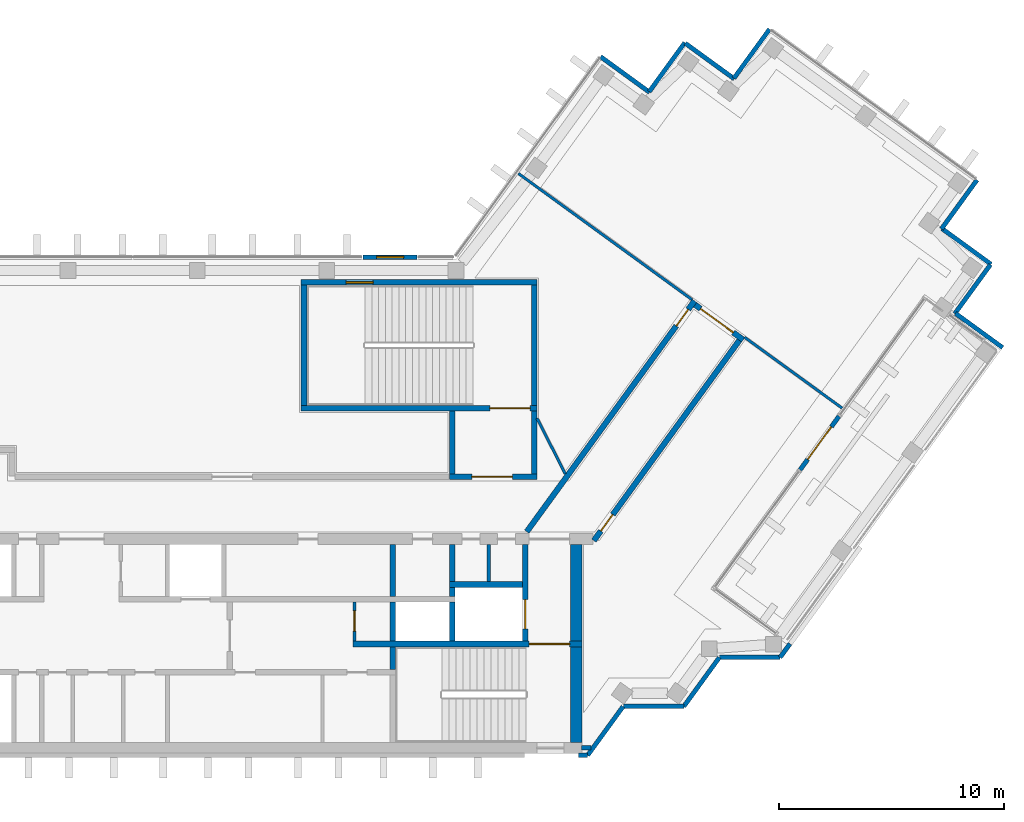
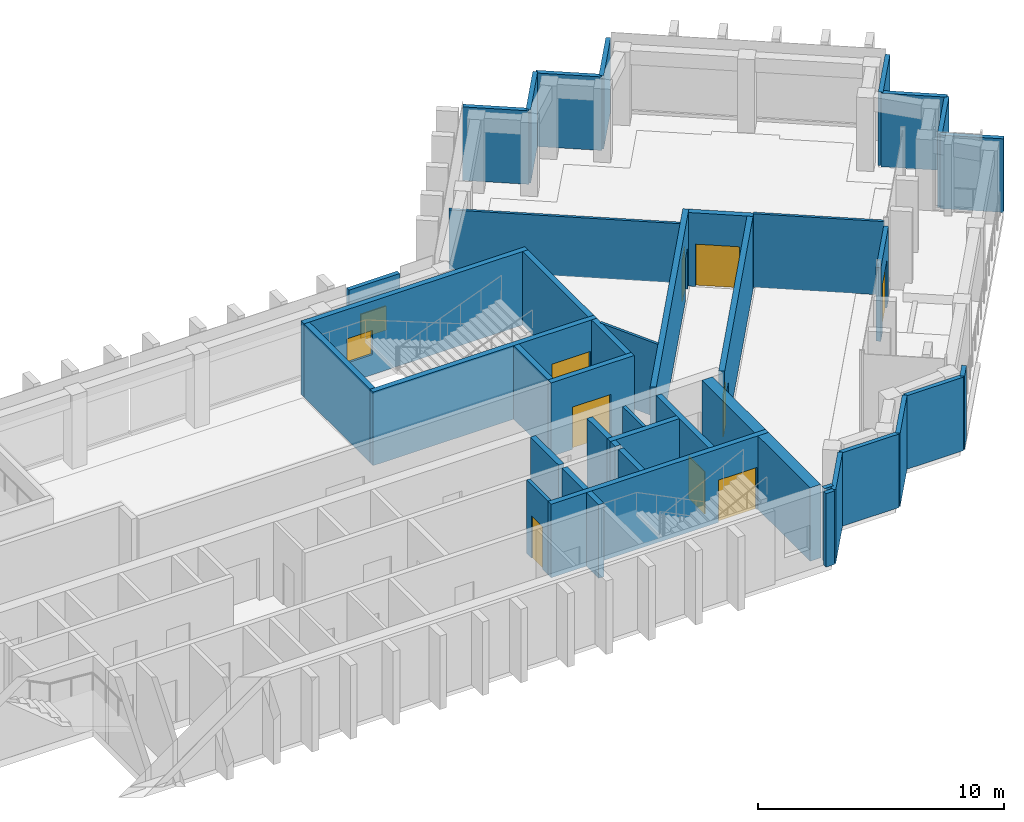
# One storey, part 6 of 9: 43 walls, 9 doors, 2 windows, 11 openings.
"""IFC4 building model written with IfcOpenShell, lengths in metres."""

from ifc_helpers import new_model, si_unit, direction, frame, frame_2d, origin, place, context, subcontext, project, spatial, rectangle, extrude, material, layer, layer_set, type_object, element, fill, save


model = new_model("IFC4")

# Units and contexts
model_context = context("Model", 3, precision=1e-05, world=origin(), true_north=direction((0.0, 1.0)))
body_context = subcontext(model_context, "Body", "Model", "MODEL_VIEW")
ifc_project = project(units=[si_unit("LENGTHUNIT", "METRE"), si_unit("AREAUNIT", "SQUARE_METRE"), si_unit("VOLUMEUNIT", "CUBIC_METRE"), si_unit("PLANEANGLEUNIT", "RADIAN"), si_unit("MASSUNIT", "GRAM", prefix="KILO")], contexts=[model_context])

# Site, building, storey
site_placement = place(None, origin())
site = spatial("IfcSite", under=ifc_project, at=site_placement, CompositionType="ELEMENT")
building_placement = place(site_placement, origin())
building = spatial("IfcBuilding", under=site, at=building_placement, Name="Quipu Civic Tower", CompositionType="ELEMENT")
storey_placement = place(building_placement, frame((0.0, 0.0, 315.0)))
storey = spatial("IfcBuildingStorey", under=building, at=storey_placement, Name="L73", CompositionType="ELEMENT", Elevation=315.0)

# Wall
ifc_material_1 = material(Name="Concrete C70/85", Category="concrete")
ifc_layer_1 = layer(ifc_material_1, 0.25)
ifc_layer_set_1 = layer_set([ifc_layer_1], Name="Concrete C70/85")
wall_type_1 = type_object("IfcWallType", Name="Core wall 250", PredefinedType="SHEAR", material=ifc_layer_set_1)
wall_1_placement = place(storey_placement, frame((11.574951171875, -7.25, 0.0), z_axis=(0.0, 0.0, 1.0), x_axis=(0.0, 1.0, 0.0)))
element("IfcWall", 1, at=wall_1_placement, inside=storey, type_object=wall_type_1, Name="Core wall", PredefinedType="SHEAR", context=body_context, shape_type="SweptSolid", body=[
    extrude(rectangle(XDim=1.0, YDim=0.25, at=frame_2d((0.5, 0.0))), origin(), (0.0, 0.0, 1.0), 3.64990234375),
])

# Wall, opening, door
wall_2_placement = place(storey_placement, frame((20.0, -6.125, 0.0), z_axis=(0.0, 0.0, 1.0), x_axis=(-1.0, 0.0, 0.0)))
wall_2 = element("IfcWall", 2, at=wall_2_placement, inside=storey, type_object=wall_type_1, Name="Core wall", PredefinedType="SHEAR", context=body_context, shape_type="SweptSolid", body=[
    extrude(rectangle(XDim=10.199951171875, YDim=0.25, at=frame_2d((5.10009765625, 0.0))), origin(), (0.0, 0.0, 1.0), 3.64990234375),
])
opening_1_placement = place(wall_2_placement, frame((0.550048828125, 0.0, 0.0)))
opening_1 = element("IfcOpeningElement", 3, at=opening_1_placement, cuts=wall_2, Name="Opening CD-09", PredefinedType="OPENING", context=body_context, shape_type="SweptSolid", body=[
    extrude(rectangle(XDim=1.800048828125, YDim=2.10009765625, at=frame_2d((0.89990234375, 1.050048828125))), frame((0.0, 0.135009765625, 0.0), z_axis=(0.0, -1.0, 0.0), x_axis=(1.0, 0.0, 0.0)), (0.0, 0.0, 1.0), 0.27001953125),
])
ifc_material_2 = material(Name="Fire rated steel door", Category="steel")
door_type_1 = type_object("IfcDoorType", Name="Fire door FD90 double 1800 x 2100", OperationType="NOTDEFINED", PredefinedType="DOOR", material=ifc_material_2)
door_1_placement = place(opening_1_placement, origin())
door_1 = element("IfcDoor", 4, at=door_1_placement, inside=storey, type_object=door_type_1, Name="Door", OperationType="DOUBLE_DOOR_SINGLE_SWING", OverallHeight=2.10009765625, OverallWidth=1.800048828125, PredefinedType="DOOR", context=body_context, shape_type="SweptSolid", body=[
    extrude(rectangle(XDim=1.800048828125, YDim=2.10009765625, at=frame_2d((0.89990234375, 1.050048828125))), frame((0.0, 0.02490234375, 0.0), z_axis=(0.0, -1.0, 0.0), x_axis=(1.0, 0.0, 0.0)), (0.0, 0.0, 1.0), 0.050048828125),
])
fill(opening_1, door_1)

# Walls
for number, where, z_axis, x_axis, name in (
    (5, (11.574951171875, -6.0, 0.0), (0.0, 0.0, 1.0), (0.0, 1.0, 0.0), "Core wall"),
    (6, (14.22509765625, -6.0, 0.0), (0.0, 0.0, 1.0), (0.0, 1.0, 0.0), "Core wall"),
):
    element("IfcWall", number, at=place(storey_placement, frame(where, z_axis=z_axis, x_axis=x_axis)), inside=storey, type_object=wall_type_1, Name=name, PredefinedType="SHEAR", context=body_context, shape_type="SweptSolid", body=[
        extrude(rectangle(XDim=1.75, YDim=0.25, at=frame_2d((0.875, 0.0))), origin(), (0.0, 0.0, 1.0), 3.64990234375),
    ])

# Wall, opening, door
wall_3_placement = place(storey_placement, frame((17.47509765625, -6.0, 0.0), z_axis=(0.0, 0.0, 1.0), x_axis=(0.0, 1.0, 0.0)))
wall_3 = element("IfcWall", 7, at=wall_3_placement, inside=storey, type_object=wall_type_1, Name="Core wall", PredefinedType="SHEAR", context=body_context, shape_type="SweptSolid", body=[
    extrude(rectangle(XDim=4.300048828125, YDim=0.25, at=frame_2d((2.14990234375, 0.0))), origin(), (0.0, 0.0, 1.0), 3.64990234375),
])
opening_2_placement = place(wall_3_placement, frame((0.550048828125, 0.0, 0.0)))
opening_2 = element("IfcOpeningElement", 8, at=opening_2_placement, cuts=wall_3, Name="Opening LD-FF2", PredefinedType="OPENING", context=body_context, shape_type="SweptSolid", body=[
    extrude(rectangle(XDim=1.300048828125, YDim=2.10009765625, at=frame_2d((0.64990234375, 1.050048828125))), frame((0.0, 0.135009765625, 0.0), z_axis=(0.0, -1.0, 0.0), x_axis=(1.0, 0.0, 0.0)), (0.0, 0.0, 1.0), 0.27001953125),
])
ifc_material_3 = material(Name="Stainless steel", Category="steel")
door_type_2 = type_object("IfcDoorType", Name="Lift landing door 1300 x 2100", OperationType="DOUBLE_DOOR_SLIDING", PredefinedType="DOOR", material=ifc_material_3)
door_2_placement = place(opening_2_placement, origin())
door_2 = element("IfcDoor", 9, at=door_2_placement, inside=storey, type_object=door_type_2, Name="Landing door FF2", OperationType="DOUBLE_DOOR_SLIDING", OverallHeight=2.10009765625, OverallWidth=1.300048828125, PredefinedType="DOOR", context=body_context, shape_type="SweptSolid", body=[
    extrude(rectangle(XDim=1.300048828125, YDim=2.10009765625, at=frame_2d((0.64990234375, 1.050048828125))), frame((0.0, 0.02490234375, 0.0), z_axis=(0.0, -1.0, 0.0), x_axis=(1.0, 0.0, 0.0)), (0.0, 0.0, 1.0), 0.050048828125),
])
fill(opening_2, door_2)

# Walls
wall_4_placement = place(storey_placement, frame((11.574951171875, -4.0, 0.0), z_axis=(0.0, 0.0, 1.0), x_axis=(0.0, 1.0, 0.0)))
element("IfcWall", 10, at=wall_4_placement, inside=storey, type_object=wall_type_1, Name="Core wall", PredefinedType="SHEAR", context=body_context, shape_type="SweptSolid", body=[
    extrude(rectangle(XDim=2.300048828125, YDim=0.25, at=frame_2d((1.14990234375, 0.0))), origin(), (0.0, 0.0, 1.0), 3.64990234375),
])
wall_5_placement = place(storey_placement, frame((14.22509765625, -4.0, 0.0), z_axis=(0.0, 0.0, 1.0), x_axis=(0.0, 1.0, 0.0)))
element("IfcWall", 11, at=wall_5_placement, inside=storey, type_object=wall_type_1, Name="Core wall", PredefinedType="SHEAR", context=body_context, shape_type="SweptSolid", body=[
    extrude(rectangle(XDim=0.39990234375, YDim=0.25, at=frame_2d((0.199951171875, 0.0))), origin(), (0.0, 0.0, 1.0), 3.64990234375),
])
wall_6_placement = place(storey_placement, frame((14.10009765625, -3.47509765625, 0.0), z_axis=(0.0, 0.0, 1.0), x_axis=(1.0, 0.0, 0.0)))
element("IfcWall", 12, at=wall_6_placement, inside=storey, type_object=wall_type_1, Name="Core wall", PredefinedType="SHEAR", context=body_context, shape_type="SweptSolid", body=[
    extrude(rectangle(XDim=3.25, YDim=0.25, at=frame_2d((1.625, 0.0))), origin(), (0.0, 0.0, 1.0), 3.64990234375),
])
wall_7_placement = place(storey_placement, frame((14.22509765625, -3.35009765625, 0.0), z_axis=(0.0, 0.0, 1.0), x_axis=(0.0, 1.0, 0.0)))
element("IfcWall", 13, at=wall_7_placement, inside=storey, type_object=wall_type_1, Name="Core wall", PredefinedType="SHEAR", context=body_context, shape_type="SweptSolid", body=[
    extrude(rectangle(XDim=1.650146484375, YDim=0.25, at=frame_2d((0.8251953125, 0.0))), origin(), (0.0, 0.0, 1.0), 3.64990234375),
])

# Wall, opening, door
wall_8_placement = place(storey_placement, frame((14.10009765625, 1.324951171875, 0.0), z_axis=(0.0, 0.0, 1.0), x_axis=(1.0, 0.0, 0.0)))
wall_8 = element("IfcWall", 14, at=wall_8_placement, inside=storey, type_object=wall_type_1, Name="Core wall", PredefinedType="SHEAR", context=body_context, shape_type="SweptSolid", body=[
    extrude(rectangle(XDim=3.89990234375, YDim=0.25, at=frame_2d((1.949951171875, 0.0))), origin(), (0.0, 0.0, 1.0), 3.64990234375),
])
opening_3_placement = place(wall_8_placement, frame((1.0, 0.0, 0.0)))
opening_3 = element("IfcOpeningElement", 15, at=opening_3_placement, cuts=wall_8, Name="Opening CD-26", PredefinedType="OPENING", context=body_context, shape_type="SweptSolid", body=[
    extrude(rectangle(XDim=1.800048828125, YDim=2.10009765625, at=frame_2d((0.89990234375, 1.050048828125))), frame((0.0, 0.135009765625, 0.0), z_axis=(0.0, -1.0, 0.0), x_axis=(1.0, 0.0, 0.0)), (0.0, 0.0, 1.0), 0.27001953125),
])
door_3_placement = place(opening_3_placement, origin())
door_3 = element("IfcDoor", 16, at=door_3_placement, inside=storey, type_object=door_type_1, Name="Lobby door", OperationType="DOUBLE_DOOR_SINGLE_SWING", OverallHeight=2.10009765625, OverallWidth=1.800048828125, PredefinedType="DOOR", context=body_context, shape_type="SweptSolid", body=[
    extrude(rectangle(XDim=1.800048828125, YDim=2.10009765625, at=frame_2d((0.89990234375, 1.050048828125))), frame((0.0, 0.02490234375, 0.0), z_axis=(0.0, -1.0, 0.0), x_axis=(1.0, 0.0, 0.0)), (0.0, 0.0, 1.0), 0.050048828125),
])
fill(opening_3, door_3)

# Walls
for number, where, z_axis, x_axis, name in (
    (17, (14.22509765625, 1.449951171875, 0.0), (0.0, 0.0, 1.0), (0.0, 1.0, 0.0), "Core wall"),
    (18, (17.875, 1.449951171875, 0.0), (0.0, 0.0, 1.0), (0.0, 1.0, 0.0), "Core wall"),
):
    element("IfcWall", number, at=place(storey_placement, frame(where, z_axis=z_axis, x_axis=x_axis)), inside=storey, type_object=wall_type_1, Name=name, PredefinedType="SHEAR", context=body_context, shape_type="SweptSolid", body=[
        extrude(rectangle(XDim=2.800048828125, YDim=0.25, at=frame_2d((1.39990234375, 0.0))), origin(), (0.0, 0.0, 1.0), 3.64990234375),
    ])

# Wall, opening, door
wall_9_placement = place(storey_placement, frame((7.5, 4.375, 0.0), z_axis=(0.0, 0.0, 1.0), x_axis=(1.0, 0.0, 0.0)))
wall_9 = element("IfcWall", 19, at=wall_9_placement, inside=storey, type_object=wall_type_1, Name="Core wall", PredefinedType="SHEAR", context=body_context, shape_type="SweptSolid", body=[
    extrude(rectangle(XDim=10.5, YDim=0.25, at=frame_2d((5.25, 0.0))), origin(), (0.0, 0.0, 1.0), 3.64990234375),
])
opening_4_placement = place(wall_9_placement, frame((8.39990234375, 0.0, 0.0)))
opening_4 = element("IfcOpeningElement", 20, at=opening_4_placement, cuts=wall_9, Name="Opening CD-27", PredefinedType="OPENING", context=body_context, shape_type="SweptSolid", body=[
    extrude(rectangle(XDim=1.800048828125, YDim=2.10009765625, at=frame_2d((0.89990234375, 1.050048828125))), frame((0.0, 0.135009765625, 0.0), z_axis=(0.0, -1.0, 0.0), x_axis=(1.0, 0.0, 0.0)), (0.0, 0.0, 1.0), 0.27001953125),
])
door_4_placement = place(opening_4_placement, origin())
door_4 = element("IfcDoor", 21, at=door_4_placement, inside=storey, type_object=door_type_1, Name="Door", OperationType="DOUBLE_DOOR_SINGLE_SWING", OverallHeight=2.10009765625, OverallWidth=1.800048828125, PredefinedType="DOOR", context=body_context, shape_type="SweptSolid", body=[
    extrude(rectangle(XDim=1.800048828125, YDim=2.10009765625, at=frame_2d((0.89990234375, 1.050048828125))), frame((0.0, 0.02490234375, 0.0), z_axis=(0.0, -1.0, 0.0), x_axis=(1.0, 0.0, 0.0)), (0.0, 0.0, 1.0), 0.050048828125),
])
fill(opening_4, door_4)

# Walls
for number, where, z_axis, x_axis, name in (
    (22, (7.625, 4.5, 0.0), (0.0, 0.0, 1.0), (0.0, 1.0, 0.0), "Core wall"),
    (23, (17.875, 4.5, 0.0), (0.0, 0.0, 1.0), (0.0, 1.0, 0.0), "Core wall"),
):
    element("IfcWall", number, at=place(storey_placement, frame(where, z_axis=z_axis, x_axis=x_axis)), inside=storey, type_object=wall_type_1, Name=name, PredefinedType="SHEAR", context=body_context, shape_type="SweptSolid", body=[
        extrude(rectangle(XDim=5.35009765625, YDim=0.25, at=frame_2d((2.675048828125, 0.0))), origin(), (0.0, 0.0, 1.0), 3.64990234375),
    ])

# Wall, opening, window
wall_10_placement = place(storey_placement, frame((7.5, 9.97509765625, 0.0), z_axis=(0.0, 0.0, 1.0), x_axis=(1.0, 0.0, 0.0)))
wall_10 = element("IfcWall", 24, at=wall_10_placement, inside=storey, type_object=wall_type_1, Name="Core wall", PredefinedType="SHEAR", context=body_context, shape_type="SweptSolid", body=[
    extrude(rectangle(XDim=10.5, YDim=0.25, at=frame_2d((5.25, 0.0))), origin(), (0.0, 0.0, 1.0), 3.64990234375),
])
opening_5_placement = place(wall_10_placement, frame((2.0, 0.0, 1.0)))
opening_5 = element("IfcOpeningElement", 25, at=opening_5_placement, cuts=wall_10, Name="Opening SV-4", PredefinedType="OPENING", context=body_context, shape_type="SweptSolid", body=[
    extrude(rectangle(XDim=1.199951171875, YDim=1.199951171875, at=frame_2d((0.60009765625, 0.60009765625))), frame((0.0, 0.135009765625, 0.0), z_axis=(0.0, -1.0, 0.0), x_axis=(1.0, 0.0, 0.0)), (0.0, 0.0, 1.0), 0.27001953125),
])
ifc_material_4 = material(Name="Aluminium louvre", Category="aluminium")
window_type_1 = type_object("IfcWindowType", Name="Stair ventilation louvre 1200 x 1200", PartitioningType="SINGLE_PANEL", PredefinedType="WINDOW", material=ifc_material_4)
window_1_placement = place(opening_5_placement, origin())
window_1 = element("IfcWindow", 26, at=window_1_placement, inside=storey, type_object=window_type_1, Name="Stair ventilation opening", OverallHeight=1.199951171875, OverallWidth=1.199951171875, PartitioningType="SINGLE_PANEL", PredefinedType="WINDOW", context=body_context, shape_type="SweptSolid", body=[
    extrude(rectangle(XDim=1.199951171875, YDim=1.199951171875, at=frame_2d((0.60009765625, 0.60009765625))), frame((0.0, 0.030029296875, 0.0), z_axis=(0.0, -1.0, 0.0), x_axis=(1.0, 0.0, 0.0)), (0.0, 0.0, 1.0), 0.06005859375),
])
fill(opening_5, window_1)

# Walls
ifc_material_5 = material(Name="Concrete C70/85", Category="concrete")
ifc_layer_2 = layer(ifc_material_5, 0.5)
ifc_layer_set_2 = layer_set([ifc_layer_2], Name="Concrete C70/85")
wall_type_2 = type_object("IfcWallType", Name="Core wall 500", PredefinedType="SHEAR", material=ifc_layer_set_2)
wall_11_placement = place(storey_placement, frame((19.75, -10.5, 0.0), z_axis=(0.0, 0.0, 1.0), x_axis=(0.0, 1.0, 0.0)))
element("IfcWall", 27, at=wall_11_placement, inside=storey, type_object=wall_type_2, Name="Core wall", PredefinedType="SHEAR", context=body_context, shape_type="SweptSolid", body=[
    extrude(rectangle(XDim=4.25, YDim=0.5, at=frame_2d((2.125, 0.0))), origin(), (0.0, 0.0, 1.0), 3.64990234375),
])
wall_12_placement = place(storey_placement, frame((19.75, -6.0, 0.0), z_axis=(0.0, 0.0, 1.0), x_axis=(0.0, 1.0, 0.0)))
element("IfcWall", 28, at=wall_12_placement, inside=storey, type_object=wall_type_2, Name="Core wall", PredefinedType="SHEAR", context=body_context, shape_type="SweptSolid", body=[
    extrude(rectangle(XDim=4.300048828125, YDim=0.5, at=frame_2d((2.14990234375, 0.0))), origin(), (0.0, 0.0, 1.0), 3.64990234375),
])

# Wall, opening, door
ifc_material_6 = material(Name="Concrete C50/60", Category="concrete")
ifc_layer_3 = layer(ifc_material_6, 0.25)
ifc_layer_set_3 = layer_set([ifc_layer_3], Name="Concrete C50/60")
wall_type_3 = type_object("IfcWallType", Name="Corridor wall 250 concrete", PredefinedType="SOLIDWALL", material=ifc_layer_set_3)
wall_13_placement = place(storey_placement, frame((17.544921875, -1.124755859375, 0.0), z_axis=(0.0, 0.0, 1.0), x_axis=(0.587796810203, 0.809008596935, 0.0)))
wall_13 = element("IfcWall", 29, at=wall_13_placement, inside=storey, type_object=wall_type_3, Name="Corridor wall C01", PredefinedType="SOLIDWALL", context=body_context, shape_type="SweptSolid", body=[
    extrude(rectangle(XDim=12.703125, YDim=0.25, at=frame_2d((6.3515625, 0.0))), origin(), (0.0, 0.0, 1.0), 3.64990234375),
])
opening_6_placement = place(wall_13_placement, frame((11.32861328125, 0.0, 0.0)))
opening_6 = element("IfcOpeningElement", 30, at=opening_6_placement, cuts=wall_13, Name="Opening D001", PredefinedType="OPENING", context=body_context, shape_type="SweptSolid", body=[
    extrude(rectangle(XDim=0.89990234375, YDim=2.10009765625, at=frame_2d((0.449951171875, 1.050048828125))), frame((0.0, 0.135009765625, 0.0), z_axis=(0.0, -1.0, 0.0), x_axis=(1.0, 0.0, 0.0)), (0.0, 0.0, 1.0), 0.27001953125),
])
ifc_material_7 = material(Name="Fire rated timber door set with metal frame", Category="wood")
door_type_3 = type_object("IfcDoorType", Name="Single door 900 x 2100 FD60", OperationType="NOTDEFINED", PredefinedType="DOOR", material=ifc_material_7)
door_5_placement = place(opening_6_placement, origin())
door_5 = element("IfcDoor", 31, at=door_5_placement, inside=storey, type_object=door_type_3, Name="Door D001", OperationType="SINGLE_SWING_RIGHT", OverallHeight=2.10009765625, OverallWidth=0.89990234375, PredefinedType="DOOR", context=body_context, shape_type="SweptSolid", body=[
    extrude(rectangle(XDim=0.89990234375, YDim=2.10009765625, at=frame_2d((0.449951171875, 1.050048828125))), frame((0.0, 0.02490234375, 0.0), z_axis=(0.0, -1.0, 0.0), x_axis=(1.0, 0.0, 0.0)), (0.0, 0.0, 1.0), 0.050048828125),
])
fill(opening_6, door_5)

wall_14_placement = place(storey_placement, frame((25.039306640625, 8.9775390625, 0.0), z_axis=(0.0, 0.0, 1.0), x_axis=(0.809006914995, -0.587799125119, 0.0)))
wall_14 = element("IfcWall", 32, at=wall_14_placement, inside=storey, type_object=wall_type_3, Name="Corridor wall C02", PredefinedType="SOLIDWALL", context=body_context, shape_type="SweptSolid", body=[
    extrude(rectangle(XDim=2.64990234375, YDim=0.25, at=frame_2d((1.324951171875, 0.0))), origin(), (0.0, 0.0, 1.0), 3.64990234375),
])
opening_7_placement = place(wall_14_placement, frame((0.300537109375, 0.0, 0.0)))
opening_7 = element("IfcOpeningElement", 33, at=opening_7_placement, cuts=wall_14, Name="Opening D003", PredefinedType="OPENING", context=body_context, shape_type="SweptSolid", body=[
    extrude(rectangle(XDim=1.800048828125, YDim=2.10009765625, at=frame_2d((0.89990234375, 1.050048828125))), frame((0.0, 0.135009765625, 0.0), z_axis=(0.0, -1.0, 0.0), x_axis=(1.0, 0.0, 0.0)), (0.0, 0.0, 1.0), 0.27001953125),
])
ifc_material_8 = material(Name="Fire rated timber door set with metal frame", Category="wood")
door_type_4 = type_object("IfcDoorType", Name="Double door 1800 x 2100 FD60", OperationType="DOUBLE_DOOR_SINGLE_SWING", PredefinedType="DOOR", material=ifc_material_8)
door_6_placement = place(opening_7_placement, origin())
door_6 = element("IfcDoor", 34, at=door_6_placement, inside=storey, type_object=door_type_4, Name="Door D003", OperationType="DOUBLE_DOOR_SINGLE_SWING", OverallHeight=2.10009765625, OverallWidth=1.800048828125, PredefinedType="DOOR", context=body_context, shape_type="SweptSolid", body=[
    extrude(rectangle(XDim=1.800048828125, YDim=2.10009765625, at=frame_2d((0.89990234375, 1.050048828125))), frame((0.0, 0.02490234375, 0.0), z_axis=(0.0, -1.0, 0.0), x_axis=(1.0, 0.0, 0.0)), (0.0, 0.0, 1.0), 0.050048828125),
])
fill(opening_7, door_6)

wall_15_placement = place(storey_placement, frame((27.008544921875, 7.392333984375, 0.0), z_axis=(0.0, 0.0, 1.0), x_axis=(-0.587776457057, -0.809023384414, 0.0)))
wall_15 = element("IfcWall", 35, at=wall_15_placement, inside=storey, type_object=wall_type_3, Name="Corridor wall C03", PredefinedType="SOLIDWALL", context=body_context, shape_type="SweptSolid", body=[
    extrude(rectangle(XDim=11.0205078125, YDim=0.25, at=frame_2d((5.51025390625, 0.0))), origin(), (0.0, 0.0, 1.0), 3.64990234375),
])
opening_8_placement = place(wall_15_placement, frame((9.587646484375, 0.0, 0.0)))
opening_8 = element("IfcOpeningElement", 36, at=opening_8_placement, cuts=wall_15, Name="Opening D002", PredefinedType="OPENING", context=body_context, shape_type="SweptSolid", body=[
    extrude(rectangle(XDim=0.89990234375, YDim=2.10009765625, at=frame_2d((0.449951171875, 1.050048828125))), frame((0.0, 0.135009765625, 0.0), z_axis=(0.0, -1.0, 0.0), x_axis=(1.0, 0.0, 0.0)), (0.0, 0.0, 1.0), 0.27001953125),
])
door_7_placement = place(opening_8_placement, origin())
door_7 = element("IfcDoor", 37, at=door_7_placement, inside=storey, type_object=door_type_3, Name="Door D002", OperationType="SINGLE_SWING_RIGHT", OverallHeight=2.10009765625, OverallWidth=0.89990234375, PredefinedType="DOOR", context=body_context, shape_type="SweptSolid", body=[
    extrude(rectangle(XDim=0.89990234375, YDim=2.10009765625, at=frame_2d((0.449951171875, 1.050048828125))), frame((0.0, 0.02490234375, 0.0), z_axis=(0.0, -1.0, 0.0), x_axis=(1.0, 0.0, 0.0)), (0.0, 0.0, 1.0), 0.050048828125),
])
fill(opening_8, door_7)

# Walls
ifc_material_9 = material(Name="Gypsum plasterboard on light gauge framing")
ifc_layer_4 = layer(ifc_material_9, 0.1201171875)
ifc_layer_set_4 = layer_set([ifc_layer_4], Name="Gypsum plasterboard on light gauge framing")
wall_type_4 = type_object("IfcWallType", Name="Partition 120 plasterboard", PredefinedType="PARTITIONING", material=ifc_layer_set_4)
wall_16_placement = place(storey_placement, frame((24.898193359375, 9.209716796875, 0.0), z_axis=(0.0, 0.0, 1.0), x_axis=(-0.809034479891, 0.587761184791, 0.0)))
element("IfcWall", 38, at=wall_16_placement, inside=storey, type_object=wall_type_4, Name="Partition P01", PredefinedType="PARTITIONING", context=body_context, shape_type="SweptSolid", body=[
    extrude(rectangle(XDim=9.549560546875, YDim=0.1201171875, at=frame_2d((4.77490234375, 0.0))), origin(), (0.0, 0.0, 1.0), 2.949951171875),
])
wall_17_placement = place(storey_placement, frame((27.24072265625, 7.532470703125, 0.0), z_axis=(0.0, 0.0, 1.0), x_axis=(0.809040727879, -0.587752584539, 0.0)))
element("IfcWall", 39, at=wall_17_placement, inside=storey, type_object=wall_type_4, Name="Partition P04", PredefinedType="PARTITIONING", context=body_context, shape_type="SweptSolid", body=[
    extrude(rectangle(XDim=5.36962890625, YDim=0.1201171875, at=frame_2d((2.684814453125, 0.0))), origin(), (0.0, 0.0, 1.0), 3.64990234375),
])
wall_18_placement = place(storey_placement, frame((18.0, 3.925048828125, 0.0), z_axis=(0.0, 0.0, 1.0), x_axis=(0.453950796792, -0.891026752736, 0.0)))
element("IfcWall", 40, at=wall_18_placement, inside=storey, type_object=wall_type_4, Name="Partition P05", PredefinedType="PARTITIONING", context=body_context, shape_type="SweptSolid", body=[
    extrude(rectangle(XDim=2.77783203125, YDim=0.1201171875, at=frame_2d((1.388916015625, 0.0))), origin(), (0.0, 0.0, 1.0), 3.64990234375),
])

# Wall, opening, door
ifc_material_10 = material(Name="Gypsum board partition")
ifc_layer_5 = layer(ifc_material_10, 0.14990234375)
ifc_layer_set_5 = layer_set([ifc_layer_5], Name="Gypsum board partition")
wall_type_5 = type_object("IfcWallType", Name="Partition 150", PredefinedType="PARTITIONING", material=ifc_layer_set_5)
wall_19_placement = place(storey_placement, frame((9.875, -6.0, 0.0), z_axis=(0.0, 0.0, 1.0), x_axis=(0.0, 1.0, 0.0)))
wall_19 = element("IfcWall", 41, at=wall_19_placement, inside=storey, type_object=wall_type_5, Name="Partition", PredefinedType="PARTITIONING", context=body_context, shape_type="SweptSolid", body=[
    extrude(rectangle(XDim=1.75, YDim=0.14990234375, at=frame_2d((0.875, 0.0))), origin(), (0.0, 0.0, 1.0), 3.64990234375),
])
opening_9_placement = place(wall_19_placement, frame((0.449951171875, 0.0, 0.0)))
opening_9 = element("IfcOpeningElement", 42, at=opening_9_placement, cuts=wall_19, Name="Opening CD-11", PredefinedType="OPENING", context=body_context, shape_type="SweptSolid", body=[
    extrude(rectangle(XDim=0.89990234375, YDim=2.10009765625, at=frame_2d((0.449951171875, 1.050048828125))), frame((0.0, 0.0849609375, 0.0), z_axis=(0.0, -1.0, 0.0), x_axis=(1.0, 0.0, 0.0)), (0.0, 0.0, 1.0), 0.169921875),
])
ifc_material_11 = material(Name="Fire rated steel door", Category="steel")
door_type_5 = type_object("IfcDoorType", Name="Fire door FD60 900 x 2100", OperationType="NOTDEFINED", PredefinedType="DOOR", material=ifc_material_11)
door_8_placement = place(opening_9_placement, origin())
door_8 = element("IfcDoor", 43, at=door_8_placement, inside=storey, type_object=door_type_5, Name="Door", OperationType="SINGLE_SWING_RIGHT", OverallHeight=2.10009765625, OverallWidth=0.89990234375, PredefinedType="DOOR", context=body_context, shape_type="SweptSolid", body=[
    extrude(rectangle(XDim=0.89990234375, YDim=2.10009765625, at=frame_2d((0.449951171875, 1.050048828125))), frame((0.0, 0.02490234375, 0.0), z_axis=(0.0, -1.0, 0.0), x_axis=(1.0, 0.0, 0.0)), (0.0, 0.0, 1.0), 0.050048828125),
])
fill(opening_9, door_8)

# Walls
wall_20_placement = place(storey_placement, frame((15.85009765625, -3.35009765625, 0.0), z_axis=(0.0, 0.0, 1.0), x_axis=(0.0, 1.0, 0.0)))
element("IfcWall", 44, at=wall_20_placement, inside=storey, type_object=wall_type_5, Name="Partition", PredefinedType="PARTITIONING", context=body_context, shape_type="SweptSolid", body=[
    extrude(rectangle(XDim=1.650146484375, YDim=0.14990234375, at=frame_2d((0.8251953125, 0.0))), origin(), (0.0, 0.0, 1.0), 3.64990234375),
])
ifc_material_12 = material(Name="Precast concrete C40/50", Category="concrete")
wall_type_6 = type_object("IfcWallType", Name="Precast cladding wall", PredefinedType="SOLIDWALL", material=ifc_material_12)
wall_21_placement = place(storey_placement, frame((36.0048828125, 12.3515625, 0.0), z_axis=(0.0, 0.0, 1.0), x_axis=(0.587762999008, 0.809033161865, 0.0)))
element("IfcWall", 45, at=wall_21_placement, inside=storey, type_object=wall_type_6, Name="Precast cladding wall L73 P01", PredefinedType="SOLIDWALL", context=body_context, shape_type="SweptSolid", body=[
    extrude(rectangle(XDim=2.699951171875, YDim=0.199951171875, at=frame_2d((1.35009765625, 0.0))), origin(), (0.0, 0.0, 1.0), 3.64990234375),
])
for number, where, z_axis, x_axis, name in (
    (46, (28.3544921875, 21.247314453125, 0.0), (0.0, 0.0, 1.0), (-0.587720002413, -0.809064397168, 0.0), "Precast cladding wall L73 P03"),
    (47, (26.78466796875, 19.03564453125, 0.0), (0.0, 0.0, 1.0), (-0.809064397168, 0.587720002413, 0.0), "Precast cladding wall L73 P04"),
):
    element("IfcWall", number, at=place(storey_placement, frame(where, z_axis=z_axis, x_axis=x_axis)), inside=storey, type_object=wall_type_6, Name=name, PredefinedType="SOLIDWALL", context=body_context, shape_type="SweptSolid", body=[
        extrude(rectangle(XDim=2.7001953125, YDim=0.199951171875, at=frame_2d((1.35009765625, 0.0))), origin(), (0.0, 0.0, 1.0), 3.64990234375),
    ])
for number, where, z_axis, x_axis, name in (
    (48, (24.583251953125, 20.64990234375, 0.0), (0.0, 0.0, 1.0), (-0.587762999008, -0.809033161865, 0.0), "Precast cladding wall L73 P05"),
    (49, (23.01318359375, 18.438232421875, 0.0), (0.0, 0.0, 1.0), (-0.808990163075, 0.587822180636, 0.0), "Precast cladding wall L73 P06"),
):
    element("IfcWall", number, at=place(storey_placement, frame(where, z_axis=z_axis, x_axis=x_axis)), inside=storey, type_object=wall_type_6, Name=name, PredefinedType="SOLIDWALL", context=body_context, shape_type="SweptSolid", body=[
        extrude(rectangle(XDim=2.699951171875, YDim=0.199951171875, at=frame_2d((1.35009765625, 0.0))), origin(), (0.0, 0.0, 1.0), 3.64990234375),
    ])

# Wall, opening, window
wall_22_placement = place(storey_placement, frame((12.655029296875, 11.10009765625, 0.0), z_axis=(0.0, 0.0, 1.0), x_axis=(-1.0, 0.0, 0.0)))
wall_22 = element("IfcWall", 50, at=wall_22_placement, inside=storey, type_object=wall_type_6, Name="Vent surround SF-L71-2", PredefinedType="SOLIDWALL", context=body_context, shape_type="SweptSolid", body=[
    extrude(rectangle(XDim=2.3916015625, YDim=0.199951171875, at=frame_2d((1.19580078125, 0.0))), origin(), (0.0, 0.0, 1.0), 3.64990234375),
])
opening_10_placement = place(wall_22_placement, frame((0.595703125, 0.0, 1.0)))
opening_10 = element("IfcOpeningElement", 51, at=opening_10_placement, cuts=wall_22, Name="Opening SF-L71-2", PredefinedType="OPENING", context=body_context, shape_type="SweptSolid", body=[
    extrude(rectangle(XDim=1.199951171875, YDim=1.199951171875, at=frame_2d((0.60009765625, 0.60009765625))), frame((0.0, 0.10986328125, 0.0), z_axis=(0.0, -1.0, 0.0), x_axis=(1.0, 0.0, 0.0)), (0.0, 0.0, 1.0), 0.219970703125),
])
ifc_material_13 = material(Name="Anodised aluminium louvre", Category="aluminium")
window_type_2 = type_object("IfcWindowType", Name="Stair vent louvre window P3", PartitioningType="SINGLE_PANEL", PredefinedType="WINDOW", material=ifc_material_13)
window_2_placement = place(opening_10_placement, origin())
window_2 = element("IfcWindow", 52, at=window_2_placement, inside=storey, type_object=window_type_2, Name="Stair vent louvre SF-L71-2", OverallHeight=1.199951171875, OverallWidth=1.199951171875, PartitioningType="SINGLE_PANEL", PredefinedType="WINDOW", context=body_context, shape_type="SweptSolid", body=[
    extrude(rectangle(XDim=1.199951171875, YDim=1.199951171875, at=frame_2d((0.60009765625, 0.60009765625))), frame((0.0, 0.030029296875, 0.0), z_axis=(0.0, -1.0, 0.0), x_axis=(1.0, 0.0, 0.0)), (0.0, 0.0, 1.0), 0.06005859375),
])
fill(opening_10, window_2)

# Walls
wall_23_placement = place(storey_placement, frame((19.85009765625, -11.087890625, 0.0), z_axis=(0.0, 0.0, 1.0), x_axis=(1.0, 0.0, 0.0)))
element("IfcWall", 53, at=wall_23_placement, inside=storey, type_object=wall_type_6, Name="Precast cladding wall L73 P31", PredefinedType="SOLIDWALL", context=body_context, shape_type="SweptSolid", body=[
    extrude(rectangle(XDim=0.40576171875, YDim=0.199951171875, at=frame_2d((0.202880859375, 0.0))), origin(), (0.0, 0.0, 1.0), 3.64990234375),
])
wall_24_placement = place(storey_placement, frame((20.253173828125, -11.083251953125, 0.0), z_axis=(0.0, 0.0, 1.0), x_axis=(0.587766567315, 0.809030569476, 0.0)))
element("IfcWall", 54, at=wall_24_placement, inside=storey, type_object=wall_type_6, Name="Precast cladding wall L73 P32", PredefinedType="SOLIDWALL", context=body_context, shape_type="SweptSolid", body=[
    extrude(rectangle(XDim=2.687744140625, YDim=0.199951171875, at=frame_2d((1.34375, 0.0))), origin(), (0.0, 0.0, 1.0), 3.64990234375),
])
wall_25_placement = place(storey_placement, frame((21.8427734375, -8.90380859375, 0.0), z_axis=(0.0, 0.0, 1.0), x_axis=(1.0, 0.0, 0.0)))
element("IfcWall", 55, at=wall_25_placement, inside=storey, type_object=wall_type_6, Name="Precast cladding wall L73 P33", PredefinedType="SOLIDWALL", context=body_context, shape_type="SweptSolid", body=[
    extrude(rectangle(XDim=2.699951171875, YDim=0.199951171875, at=frame_2d((1.35009765625, 0.0))), origin(), (0.0, 0.0, 1.0), 3.64990234375),
])
wall_26_placement = place(storey_placement, frame((24.533203125, -8.90869140625, 0.0), z_axis=(0.0, 0.0, 1.0), x_axis=(0.587720002413, 0.809064397168, 0.0)))
element("IfcWall", 56, at=wall_26_placement, inside=storey, type_object=wall_type_6, Name="Precast cladding wall L73 P34", PredefinedType="SOLIDWALL", context=body_context, shape_type="SweptSolid", body=[
    extrude(rectangle(XDim=2.7001953125, YDim=0.199951171875, at=frame_2d((1.35009765625, 0.0))), origin(), (0.0, 0.0, 1.0), 3.64990234375),
])
wall_27_placement = place(storey_placement, frame((26.1298828125, -6.71923828125, 0.0), z_axis=(0.0, 0.0, 1.0), x_axis=(1.0, 0.0, 0.0)))
element("IfcWall", 57, at=wall_27_placement, inside=storey, type_object=wall_type_6, Name="Precast cladding wall L73 P35", PredefinedType="SOLIDWALL", context=body_context, shape_type="SweptSolid", body=[
    extrude(rectangle(XDim=2.699951171875, YDim=0.199951171875, at=frame_2d((1.35009765625, 0.0))), origin(), (0.0, 0.0, 1.0), 3.64990234375),
])
wall_28_placement = place(storey_placement, frame((28.820068359375, -6.72412109375, 0.0), z_axis=(0.0, 0.0, 1.0), x_axis=(0.587941177097, 0.808903685412, 0.0)))
element("IfcWall", 58, at=wall_28_placement, inside=storey, type_object=wall_type_6, Name="Precast cladding wall L73 1", PredefinedType="SOLIDWALL", context=body_context, shape_type="SweptSolid", body=[
    extrude(rectangle(XDim=0.755859375, YDim=0.199951171875, at=frame_2d((0.3779296875, 0.0))), origin(), (0.0, 0.0, 1.0), 3.64990234375),
])
wall_29_placement = place(storey_placement, frame((38.73291015625, 7.069091796875, 0.0), z_axis=(0.0, 0.0, 1.0), x_axis=(-0.80901210161, 0.587791986546, 0.0)))
element("IfcWall", 59, at=wall_29_placement, inside=storey, type_object=wall_type_6, Name="Precast cladding wall L73 9", PredefinedType="SOLIDWALL", context=body_context, shape_type="SweptSolid", body=[
    extrude(rectangle(XDim=2.60009765625, YDim=0.199951171875, at=frame_2d((1.300048828125, 0.0))), origin(), (0.0, 0.0, 1.0), 3.64990234375),
])
for number, where, z_axis, x_axis, name in (
    (60, (36.60205078125, 8.580322265625, 0.0), (0.0, 0.0, 1.0), (0.587822180636, 0.808990163075, 0.0), "Precast cladding wall L73 10"),
    (61, (38.21630859375, 10.78173828125, 0.0), (0.0, 0.0, 1.0), (-0.809033161865, 0.587762999008, 0.0), "Precast cladding wall L73 11"),
):
    element("IfcWall", number, at=place(storey_placement, frame(where, z_axis=z_axis, x_axis=x_axis)), inside=storey, type_object=wall_type_6, Name=name, PredefinedType="SOLIDWALL", context=body_context, shape_type="SweptSolid", body=[
        extrude(rectangle(XDim=2.699951171875, YDim=0.199951171875, at=frame_2d((1.35009765625, 0.0))), origin(), (0.0, 0.0, 1.0), 3.64990234375),
    ])
wall_30_placement = place(storey_placement, frame((19.97998046875, -10.75, 0.0), z_axis=(0.0, 0.0, 1.0), x_axis=(1.0, 0.0, 0.0)))
element("IfcWall", 62, at=wall_30_placement, inside=storey, type_object=wall_type_6, Name="Precast cladding return L73 E", PredefinedType="SOLIDWALL", context=body_context, shape_type="SweptSolid", body=[
    extrude(rectangle(XDim=0.41650390625, YDim=0.199951171875, at=frame_2d((0.208251953125, 0.0))), origin(), (0.0, 0.0, 1.0), 3.64990234375),
])

# Wall, opening, door
ifc_material_14 = material(Name="Precast concrete C40/50", Category="concrete")
wall_type_7 = type_object("IfcWallType", Name="Precast door surround", PredefinedType="SOLIDWALL", material=ifc_material_14)
wall_31_placement = place(storey_placement, frame((31.44921875, 4.019287109375, 0.0), z_axis=(0.0, 0.0, 1.0), x_axis=(-0.58782869016, -0.808985433135, 0.0)))
wall_31 = element("IfcWall", 63, at=wall_31_placement, inside=storey, type_object=wall_type_7, Name="Door surround ED-L73-1", PredefinedType="SOLIDWALL", context=body_context, shape_type="SweptSolid", body=[
    extrude(rectangle(XDim=2.962890625, YDim=0.199951171875, at=frame_2d((1.4814453125, 0.0))), origin(), (0.0, 0.0, 1.0), 3.64990234375),
])
opening_11_placement = place(wall_31_placement, frame((0.58154296875, 0.0, 0.0)))
opening_11 = element("IfcOpeningElement", 64, at=opening_11_placement, cuts=wall_31, Name="Opening ED-L73-1", PredefinedType="OPENING", context=body_context, shape_type="SweptSolid", body=[
    extrude(rectangle(XDim=1.800048828125, YDim=2.39990234375, at=frame_2d((0.89990234375, 1.199951171875))), frame((0.0, 0.10986328125, 0.0), z_axis=(0.0, -1.0, 0.0), x_axis=(1.0, 0.0, 0.0)), (0.0, 0.0, 1.0), 0.219970703125),
])
ifc_material_15 = material(Name="Aluminium framed glazed door", Category="aluminium")
door_type_6 = type_object("IfcDoorType", Name="Terrace door E3", OperationType="DOUBLE_DOOR_SINGLE_SWING", PredefinedType="DOOR", material=ifc_material_15)
door_9_placement = place(opening_11_placement, origin())
door_9 = element("IfcDoor", 65, at=door_9_placement, inside=storey, type_object=door_type_6, Name="E3 door ED-L73-1", OperationType="DOUBLE_DOOR_SINGLE_SWING", OverallHeight=2.39990234375, OverallWidth=1.800048828125, PredefinedType="DOOR", context=body_context, shape_type="SweptSolid", body=[
    extrude(rectangle(XDim=1.800048828125, YDim=2.39990234375, at=frame_2d((0.89990234375, 1.199951171875))), frame((0.0, 0.02490234375, 0.0), z_axis=(0.0, -1.0, 0.0), x_axis=(1.0, 0.0, 0.0)), (0.0, 0.0, 1.0), 0.050048828125),
])
fill(opening_11, door_9)

save(model, "model.ifc")
